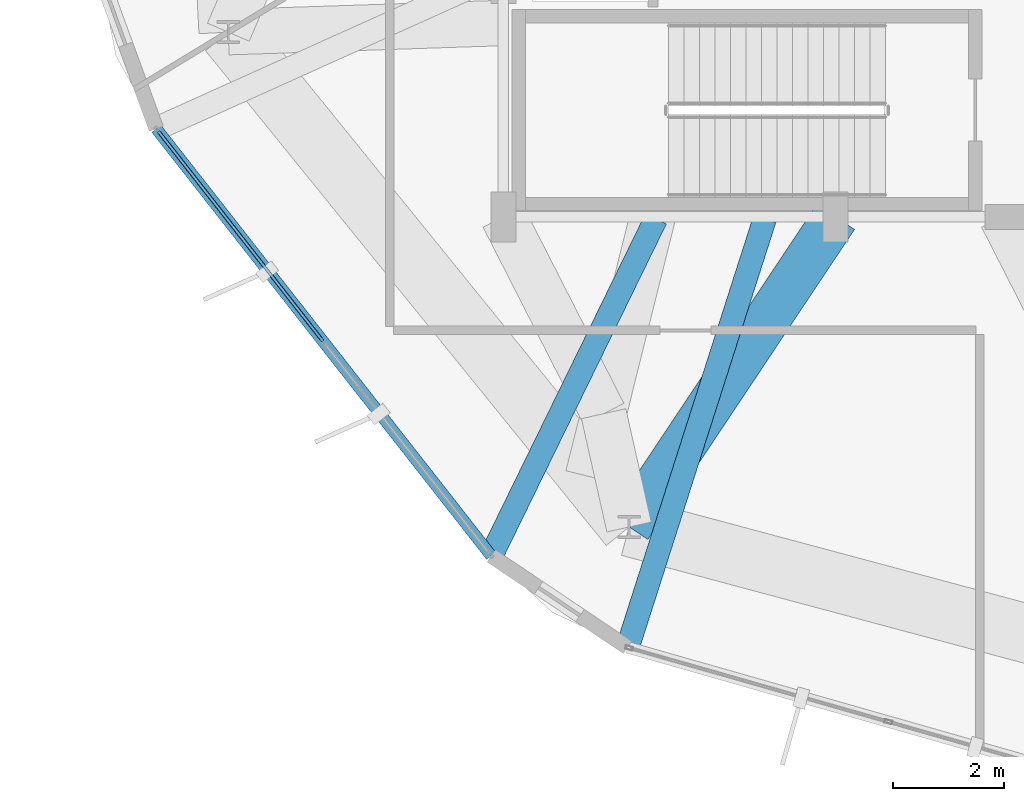
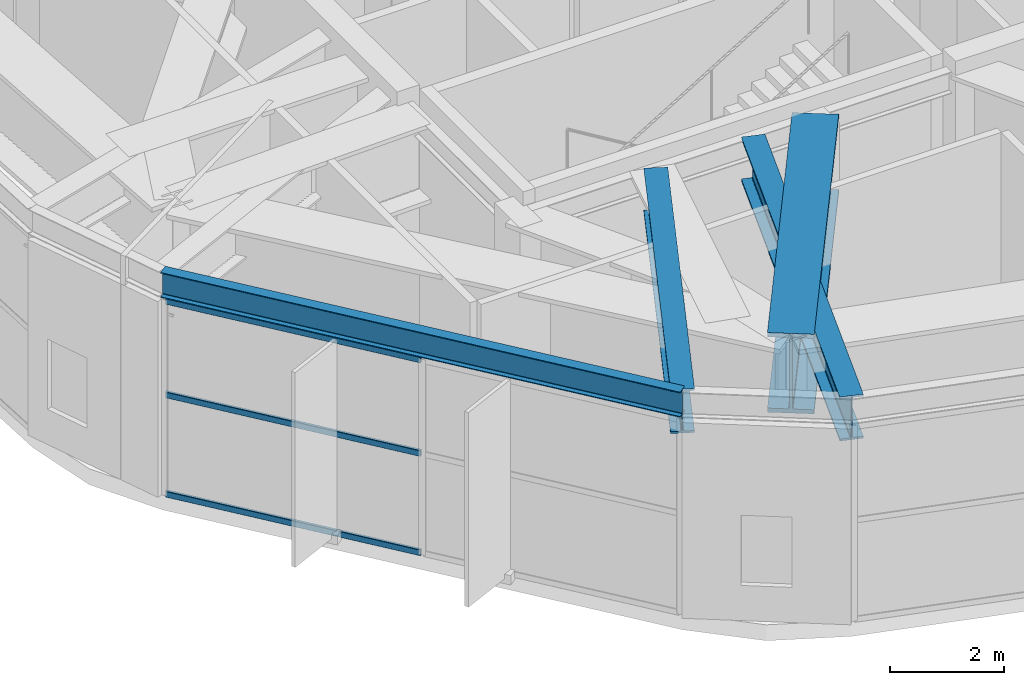
# One storey, part 4 of 30: 4 beams, 3 members, 1 element without a shape of its own.
"""IFC4 building model written with IfcOpenShell, lengths in metres."""

from ifc_helpers import new_model, si_unit, direction, frame, origin, origin_2d, place, context, subcontext, project, spatial, hollow_rectangle, i_section, extrude, material, layer, layer_set, material_profile, profile_set, type_object, element, aggregate, save


model = new_model("IFC4")

# Units and contexts
model_context = context("Model", 3, precision=1e-05, world=origin(), true_north=direction((0.0, 1.0)))
body_context = subcontext(model_context, "Body", "Model", "MODEL_VIEW")
ifc_project = project(units=[si_unit("LENGTHUNIT", "METRE"), si_unit("AREAUNIT", "SQUARE_METRE"), si_unit("VOLUMEUNIT", "CUBIC_METRE"), si_unit("PLANEANGLEUNIT", "RADIAN"), si_unit("MASSUNIT", "GRAM", prefix="KILO")], contexts=[model_context])

# Site, building, storey
site_placement = place(None, origin())
site = spatial("IfcSite", under=ifc_project, at=site_placement, CompositionType="ELEMENT")
building_placement = place(site_placement, origin())
building = spatial("IfcBuilding", under=site, at=building_placement, Name="Soratama Intermodal Tower", CompositionType="ELEMENT")
storey_placement = place(building_placement, frame((0.0, 0.0, 237.39990234375)))
storey = spatial("IfcBuildingStorey", under=building, at=storey_placement, Name="L60", CompositionType="ELEMENT", Elevation=237.39990234375)

# Beams
ifc_material_1 = material(Name="Structural steel ASTM A992 Grade 50", Category="steel")
ifc_material_profile_1 = material_profile(ifc_material_1, i_section(OverallWidth=0.423095703125, OverallDepth=0.93896484375, WebThickness=0.02392578125, FlangeThickness=0.042724609375, FilletRadius=0.02392578125, at=origin_2d()), Name="W36X302")
ifc_profile_set_1 = profile_set([ifc_material_profile_1], Name="Structural steel ASTM A992 Grade 50")
beam_type_1 = type_object("IfcBeamType", Name="BM-POD-W36X302", PredefinedType="BEAM", material=ifc_profile_set_1)
beam_1_placement = place(storey_placement, frame((35.35498046875, 14.964111328125, 4.33056640625), z_axis=(-0.43913447986, -0.898421342466, 0.0), x_axis=(0.898421342466, -0.43913447986, 0.0)))
element("IfcBeam", 1, at=beam_1_placement, inside=storey, type_object=beam_type_1, Name="BM-L60-TIE1-05", PredefinedType="BEAM", context=body_context, shape_type="SweptSolid", body=[
    extrude(i_section(OverallWidth=0.423095703125, OverallDepth=0.93896484375, WebThickness=0.02392578125, FlangeThickness=0.042724609375, FilletRadius=0.02392578125, at=origin_2d()), origin(), (0.0, 0.0, 1.0), 6.772216796875),
])
beam_2_placement = place(storey_placement, frame((37.319091796875, 14.9619140625, 4.33056640625), z_axis=(-0.304843344844, -0.952402506876, 0.0), x_axis=(0.952402506876, -0.304843344844, 0.0)))
element("IfcBeam", 2, at=beam_2_placement, inside=storey, type_object=beam_type_1, Name="BM-L60-TIE0-06", PredefinedType="BEAM", context=body_context, shape_type="SweptSolid", body=[
    extrude(i_section(OverallWidth=0.423095703125, OverallDepth=0.93896484375, WebThickness=0.02392578125, FlangeThickness=0.042724609375, FilletRadius=0.02392578125, at=origin_2d()), origin(), (0.0, 0.0, 1.0), 8.12255859375),
])
ifc_material_2 = material(Name="Structural steel ASTM A992 Grade 50", Category="steel")
ifc_material_profile_2 = material_profile(ifc_material_2, i_section(OverallWidth=0.2099609375, OverallDepth=0.537109375, WebThickness=0.010986328125, FlangeThickness=0.017333984375, FilletRadius=0.012939453125, at=origin_2d()), Name="W21X68")
ifc_profile_set_2 = profile_set([ifc_material_profile_2], Name="Structural steel ASTM A992 Grade 50")
beam_type_2 = type_object("IfcBeamType", Name="BM-SPN-W21X68", PredefinedType="SPANDREL", material=ifc_profile_set_2)
beam_3_placement = place(storey_placement, frame((26.3349609375, 16.590087890625, 4.531494140625), z_axis=(0.617071872013, -0.786906795479, 0.0), x_axis=(0.786906795479, 0.617071872013, 0.0)))
element("IfcBeam", 3, at=beam_3_placement, inside=storey, type_object=beam_type_2, Name="BS-L60-F05", PredefinedType="SPANDREL", context=body_context, shape_type="SweptSolid", body=[
    extrude(i_section(OverallWidth=0.2099609375, OverallDepth=0.537109375, WebThickness=0.010986328125, FlangeThickness=0.017333984375, FilletRadius=0.012939453125, at=origin_2d()), origin(), (0.0, 0.0, 1.0), 9.798095703125),
])
ifc_material_3 = material(Name="Structural steel ASTM A992 Grade 50", Category="steel")
ifc_material_profile_3 = material_profile(ifc_material_3, i_section(OverallWidth=0.820068359375, OverallDepth=1.699951171875, WebThickness=0.053955078125, FlangeThickness=0.087890625, FilletRadius=0.02392578125, at=origin_2d()), Name="PG1580X800")
ifc_profile_set_3 = profile_set([ifc_material_profile_3], Name="Structural steel ASTM A992 Grade 50")
beam_type_3 = type_object("IfcBeamType", Name="BM-ZSTEP-PG1580", PredefinedType="BEAM", material=ifc_profile_set_3)
beam_4_placement = place(storey_placement, frame((38.60009765625, 15.0, 3.9501953125), z_axis=(-0.55441543873, -0.832240062301, 0.0), x_axis=(0.832240062301, -0.55441543873, 0.0)))
element("IfcBeam", 4, at=beam_4_placement, inside=storey, type_object=beam_type_3, Name="BM-L60-RAD-07", PredefinedType="BEAM", context=body_context, shape_type="SweptSolid", body=[
    extrude(i_section(OverallWidth=0.820068359375, OverallDepth=1.699951171875, WebThickness=0.053955078125, FlangeThickness=0.087890625, FilletRadius=0.02392578125, at=origin_2d()), origin(), (0.0, 0.0, 1.0), 6.727783203125),
])

# Curtain wall, members
ifc_material_4 = material(Name="Double-glazed aluminium curtain wall", Category="aluminium")
ifc_layer = layer(ifc_material_4, 0.159912109375)
ifc_layer_set = layer_set([ifc_layer], Name="Double-glazed aluminium curtain wall")
curtain_wall_type = type_object("IfcCurtainWallType", Name="CW-SYS-5", PredefinedType="NOTDEFINED", material=ifc_layer_set)
curtain_wall_placement = place(storey_placement, origin())
curtain_wall = element("IfcCurtainWall", 5, at=curtain_wall_placement, inside=storey, type_object=curtain_wall_type, Name="L60 Faceted Curtain Wall F05", PredefinedType="NOTDEFINED")
ifc_material_5 = material(Name="Anodised aluminium AA 6063-T6", Category="aluminium")
ifc_material_profile_4 = material_profile(ifc_material_5, hollow_rectangle(XDim=0.06005859375, YDim=0.1298828125, WallThickness=0.0048828125, InnerFilletRadius=0.0048828125, OuterFilletRadius=0.010009765625, at=origin_2d()), Name="CWT130X60X5")
ifc_profile_set_4 = profile_set([ifc_material_profile_4], Name="Anodised aluminium AA 6063-T6")
member_type = type_object("IfcMemberType", Name="TT-CWT-2", PredefinedType="USERDEFINED", material=ifc_profile_set_4)
member_1_placement = place(storey_placement, frame((26.372314453125, 16.54296875, 0.030029296875), z_axis=(0.617049945873, -0.786923988895, 0.0), x_axis=(0.786923988895, 0.617049945873, 0.0)))
member_1 = element("IfcMember", 6, at=member_1_placement, type_object=member_type, Name="CW-5 transom 1.1", ObjectType="TRANSOM", PredefinedType="USERDEFINED", context=body_context, shape_type="SweptSolid", body=[
    extrude(hollow_rectangle(XDim=0.06005859375, YDim=0.1298828125, WallThickness=0.0048828125, InnerFilletRadius=0.0048828125, OuterFilletRadius=0.010009765625, at=origin_2d()), origin(), (0.0, 0.0, 1.0), 4.808837890625),
])
member_2_placement = place(storey_placement, frame((26.372314453125, 16.54296875, 2.150146484375), z_axis=(0.617049945873, -0.786923988895, 0.0), x_axis=(0.786923988895, 0.617049945873, 0.0)))
member_2 = element("IfcMember", 7, at=member_2_placement, type_object=member_type, Name="CW-5 transom 1.2", ObjectType="TRANSOM", PredefinedType="USERDEFINED", context=body_context, shape_type="SweptSolid", body=[
    extrude(hollow_rectangle(XDim=0.06005859375, YDim=0.1298828125, WallThickness=0.0048828125, InnerFilletRadius=0.0048828125, OuterFilletRadius=0.010009765625, at=origin_2d()), origin(), (0.0, 0.0, 1.0), 4.808837890625),
])
member_3_placement = place(storey_placement, frame((26.372314453125, 16.54296875, 4.149169921875), z_axis=(0.617049945873, -0.786923988895, 0.0), x_axis=(0.786923988895, 0.617049945873, 0.0)))
member_3 = element("IfcMember", 8, at=member_3_placement, type_object=member_type, Name="CW-5 transom 1.3", ObjectType="TRANSOM", PredefinedType="USERDEFINED", context=body_context, shape_type="SweptSolid", body=[
    extrude(hollow_rectangle(XDim=0.06005859375, YDim=0.1298828125, WallThickness=0.0048828125, InnerFilletRadius=0.0048828125, OuterFilletRadius=0.010009765625, at=origin_2d()), origin(), (0.0, 0.0, 1.0), 4.808837890625),
])
aggregate(curtain_wall, [member_1, member_2, member_3])

save(model, "model.ifc")
